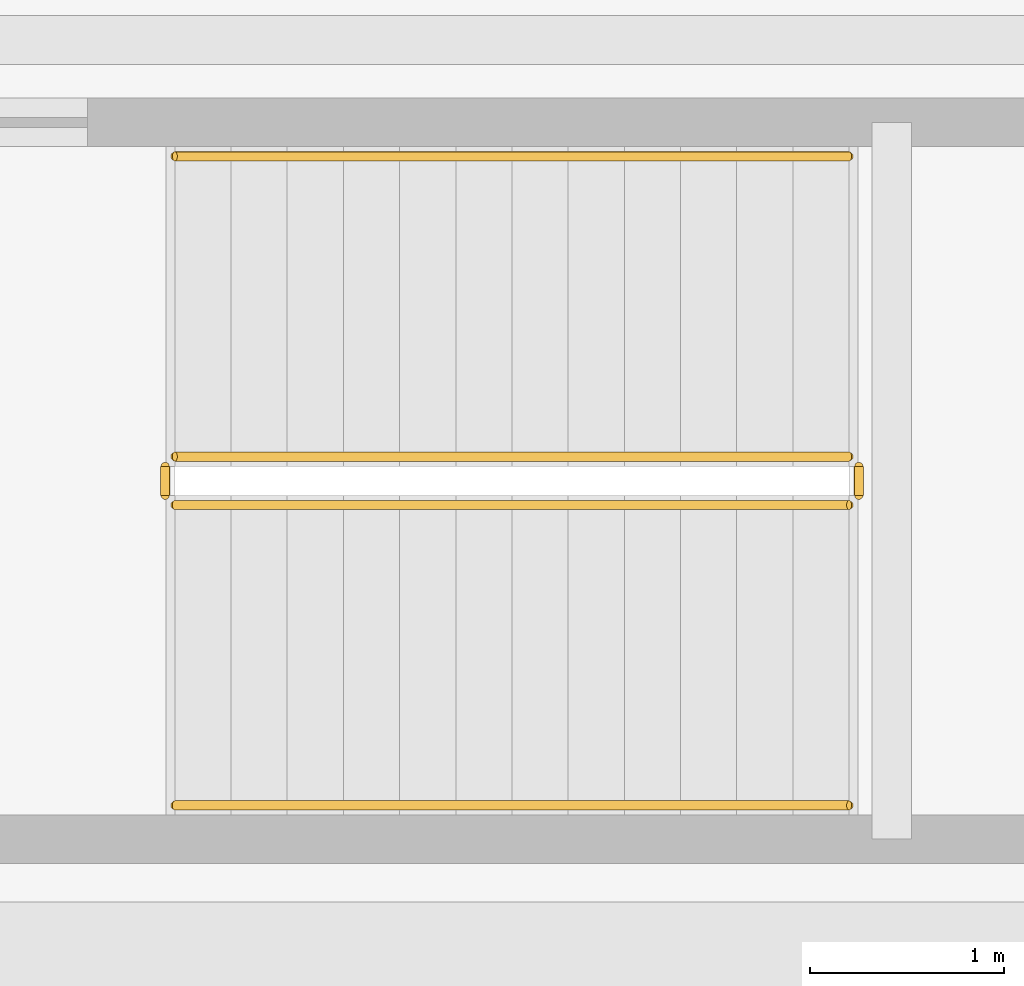
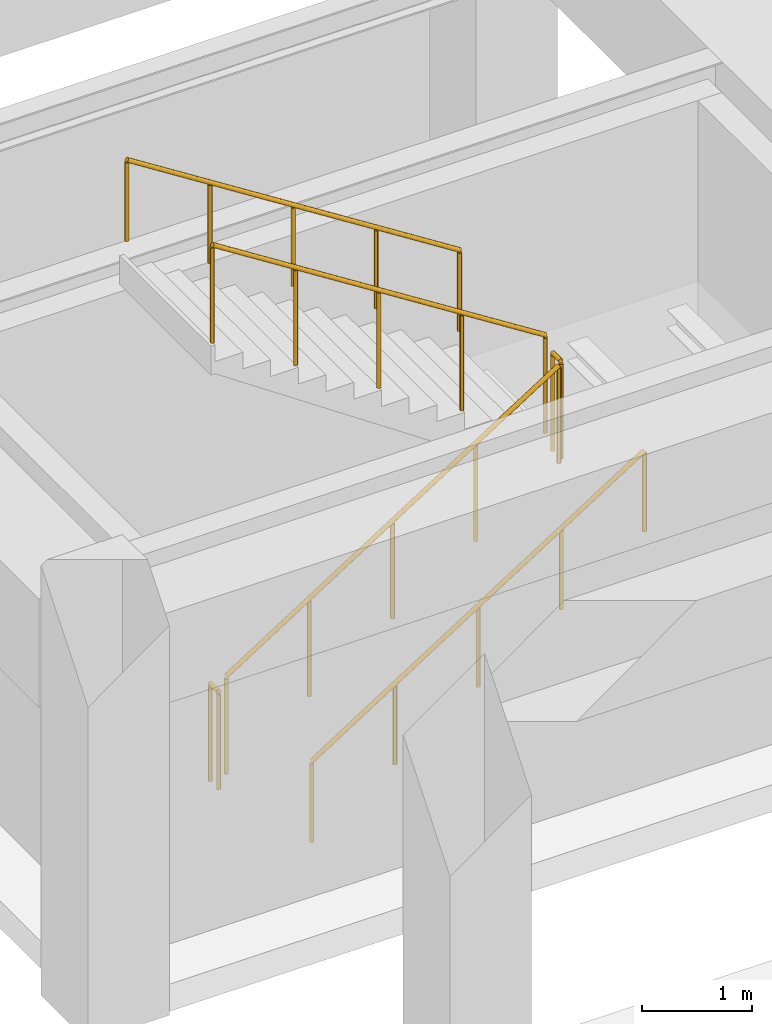
# One storey, part 35 of 45: 6 railings.
"""IFC4 building model written with IfcOpenShell, lengths in metres."""

from ifc_helpers import new_model, si_unit, direction, frame, origin, origin_2d, place, context, subcontext, project, spatial, circle, extrude, material, type_object, element, save


model = new_model("IFC4")

# Units and contexts
model_context = context("Model", 3, precision=1e-05, world=origin(), true_north=direction((0.0, 1.0)))
body_context = subcontext(model_context, "Body", "Model", "MODEL_VIEW")
ifc_project = project(units=[si_unit("LENGTHUNIT", "METRE"), si_unit("AREAUNIT", "SQUARE_METRE"), si_unit("VOLUMEUNIT", "CUBIC_METRE"), si_unit("PLANEANGLEUNIT", "RADIAN"), si_unit("MASSUNIT", "GRAM", prefix="KILO")], contexts=[model_context])

# Site, building, storey
site_placement = place(None, origin())
site = spatial("IfcSite", under=ifc_project, at=site_placement, CompositionType="ELEMENT")
building_placement = place(site_placement, origin())
building = spatial("IfcBuilding", under=site, at=building_placement, Name="Mavantir Sound Aquarium", CompositionType="ELEMENT")
storey_placement = place(building_placement, frame((0.0, 0.0, -4.800048828125)))
storey = spatial("IfcBuildingStorey", under=building, at=storey_placement, Name="B1", CompositionType="ELEMENT", Elevation=-4.800048828125)

# Railings
ifc_material_1 = material(Name="Stainless Steel 316 and Laminated Glass Guardrail", Category="steel")
railing_type_1 = type_object("IfcRailingType", Name="RL-GUARD-110", PredefinedType="GUARDRAIL", material=ifc_material_1)
railing_1_placement = place(storey_placement, frame((38.64990234375, 43.199951171875, 0.1845703125)))
element("IfcRailing", 1, at=railing_1_placement, inside=storey, type_object=railing_type_1, Name="B1 ST8 stair guard 1", PredefinedType="GUARDRAIL", context=body_context, shape_type="SweptSolid", body=[
    extrude(circle(Radius=0.02392578125, at=origin_2d()), frame((0.0, 0.0, 1.076171875), z_axis=(0.843546938479, 0.0, 0.53705545578), x_axis=(0.0, 1.0, 0.0)), (0.0, 0.0, 1.0), 4.12548828125),
    extrude(circle(Radius=0.02099609375, at=origin_2d()), origin(), (0.0, 0.0, 1.0), 1.052001953125),
    extrude(circle(Radius=0.02099609375, at=origin_2d()), frame((0.8701171875, 0.0, 0.553955078125)), (0.0, 0.0, 1.0), 1.052001953125),
    extrude(circle(Radius=0.02099609375, at=origin_2d()), frame((1.739990234375, 0.0, 1.10791015625)), (0.0, 0.0, 1.0), 1.052001953125),
    extrude(circle(Radius=0.02099609375, at=origin_2d()), frame((2.60986328125, 0.0, 1.66162109375)), (0.0, 0.0, 1.0), 1.052001953125),
    extrude(circle(Radius=0.02099609375, at=origin_2d()), frame((3.47998046875, 0.0, 2.215576171875)), (0.0, 0.0, 1.0), 1.052001953125),
])
railing_2_placement = place(storey_placement, frame((42.179931640625, 43.25, 2.400146484375)))
element("IfcRailing", 2, at=railing_2_placement, inside=storey, type_object=railing_type_1, Name="B1 ST8 stair guard 2", PredefinedType="GUARDRAIL", context=body_context, shape_type="SweptSolid", body=[
    extrude(circle(Radius=0.02392578125, at=origin_2d()), frame((0.0, 0.0, 1.076171875), z_axis=(0.0, 1.0, 0.0), x_axis=(-1.0, 0.0, 0.0)), (0.0, 0.0, 1.0), 0.14990234375),
    extrude(circle(Radius=0.02099609375, at=origin_2d()), origin(), (0.0, 0.0, 1.0), 1.052001953125),
    extrude(circle(Radius=0.02099609375, at=origin_2d()), frame((0.0, 0.14990234375, 0.0)), (0.0, 0.0, 1.0), 1.052001953125),
])
railing_3_placement = place(storey_placement, frame((42.1298828125, 43.449951171875, 2.584716796875)))
element("IfcRailing", 3, at=railing_3_placement, inside=storey, type_object=railing_type_1, Name="B1 ST8 stair guard 3", PredefinedType="GUARDRAIL", context=body_context, shape_type="SweptSolid", body=[
    extrude(circle(Radius=0.02392578125, at=origin_2d()), frame((0.0, 0.0, 1.076171875), z_axis=(-0.843573748531, 0.0, 0.537013343214), x_axis=(0.0, -1.0, 0.0)), (0.0, 0.0, 1.0), 4.125244140625),
    extrude(circle(Radius=0.02099609375, at=origin_2d()), origin(), (0.0, 0.0, 1.0), 1.052001953125),
    extrude(circle(Radius=0.02099609375, at=origin_2d()), frame((-0.8701171875, 0.0, 0.5537109375)), (0.0, 0.0, 1.0), 1.052001953125),
    extrude(circle(Radius=0.02099609375, at=origin_2d()), frame((-1.739990234375, 0.0, 1.107666015625)), (0.0, 0.0, 1.0), 1.052001953125),
    extrude(circle(Radius=0.02099609375, at=origin_2d()), frame((-2.60986328125, 0.0, 1.66162109375)), (0.0, 0.0, 1.0), 1.052001953125),
    extrude(circle(Radius=0.02099609375, at=origin_2d()), frame((-3.47998046875, 0.0, 2.21533203125)), (0.0, 0.0, 1.0), 1.052001953125),
])
railing_4_placement = place(storey_placement, frame((38.60009765625, 43.25, 0.0)))
element("IfcRailing", 4, at=railing_4_placement, inside=storey, type_object=railing_type_1, Name="B1 ST8 stair guard 4", PredefinedType="GUARDRAIL", context=body_context, shape_type="SweptSolid", body=[
    extrude(circle(Radius=0.02392578125, at=origin_2d()), frame((0.0, 0.0, 1.076171875), z_axis=(0.0, 1.0, 0.0), x_axis=(-1.0, 0.0, 0.0)), (0.0, 0.0, 1.0), 0.14990234375),
    extrude(circle(Radius=0.02099609375, at=origin_2d()), origin(), (0.0, 0.0, 1.0), 1.052001953125),
    extrude(circle(Radius=0.02099609375, at=origin_2d()), frame((0.0, 0.14990234375, 0.0)), (0.0, 0.0, 1.0), 1.052001953125),
])
ifc_material_2 = material(Name="Brushed Stainless Steel 316 Handrail", Category="steel")
railing_type_2 = type_object("IfcRailingType", Name="RL-HR-90", PredefinedType="HANDRAIL", material=ifc_material_2)
railing_5_placement = place(storey_placement, frame((38.64990234375, 41.64990234375, 0.36962890625)))
element("IfcRailing", 5, at=railing_5_placement, inside=storey, type_object=railing_type_2, Name="B1 ST8 stair handrail 1", PredefinedType="HANDRAIL", context=body_context, shape_type="SweptSolid", body=[
    extrude(circle(Radius=0.02392578125, at=origin_2d()), frame((0.0, 0.0, 0.89111328125), z_axis=(0.843573748531, 0.0, 0.537013343214), x_axis=(0.0, 1.0, 0.0)), (0.0, 0.0, 1.0), 4.125244140625),
    extrude(circle(Radius=0.02099609375, at=origin_2d()), origin(), (0.0, 0.0, 1.0), 0.866943359375),
    extrude(circle(Radius=0.02099609375, at=origin_2d()), frame((0.8701171875, 0.0, 0.5537109375)), (0.0, 0.0, 1.0), 0.866943359375),
    extrude(circle(Radius=0.02099609375, at=origin_2d()), frame((1.739990234375, 0.0, 1.107666015625)), (0.0, 0.0, 1.0), 0.866943359375),
    extrude(circle(Radius=0.02099609375, at=origin_2d()), frame((2.60986328125, 0.0, 1.66162109375)), (0.0, 0.0, 1.0), 0.866943359375),
    extrude(circle(Radius=0.02099609375, at=origin_2d()), frame((3.47998046875, 0.0, 2.21533203125)), (0.0, 0.0, 1.0), 0.866943359375),
])
railing_6_placement = place(storey_placement, frame((42.1298828125, 45.0, 2.769775390625)))
element("IfcRailing", 6, at=railing_6_placement, inside=storey, type_object=railing_type_2, Name="B1 ST8 stair handrail 2", PredefinedType="HANDRAIL", context=body_context, shape_type="SweptSolid", body=[
    extrude(circle(Radius=0.02392578125, at=origin_2d()), frame((0.0, 0.0, 0.89111328125), z_axis=(-0.843573748531, 0.0, 0.537013343214), x_axis=(0.0, -1.0, 0.0)), (0.0, 0.0, 1.0), 4.125244140625),
    extrude(circle(Radius=0.02099609375, at=origin_2d()), origin(), (0.0, 0.0, 1.0), 0.866943359375),
    extrude(circle(Radius=0.02099609375, at=origin_2d()), frame((-0.8701171875, 0.0, 0.5537109375)), (0.0, 0.0, 1.0), 0.866943359375),
    extrude(circle(Radius=0.02099609375, at=origin_2d()), frame((-1.739990234375, 0.0, 1.107666015625)), (0.0, 0.0, 1.0), 0.866943359375),
    extrude(circle(Radius=0.02099609375, at=origin_2d()), frame((-2.60986328125, 0.0, 1.66162109375)), (0.0, 0.0, 1.0), 0.866943359375),
    extrude(circle(Radius=0.02099609375, at=origin_2d()), frame((-3.47998046875, 0.0, 2.21533203125)), (0.0, 0.0, 1.0), 0.866943359375),
])

save(model, "model.ifc")
